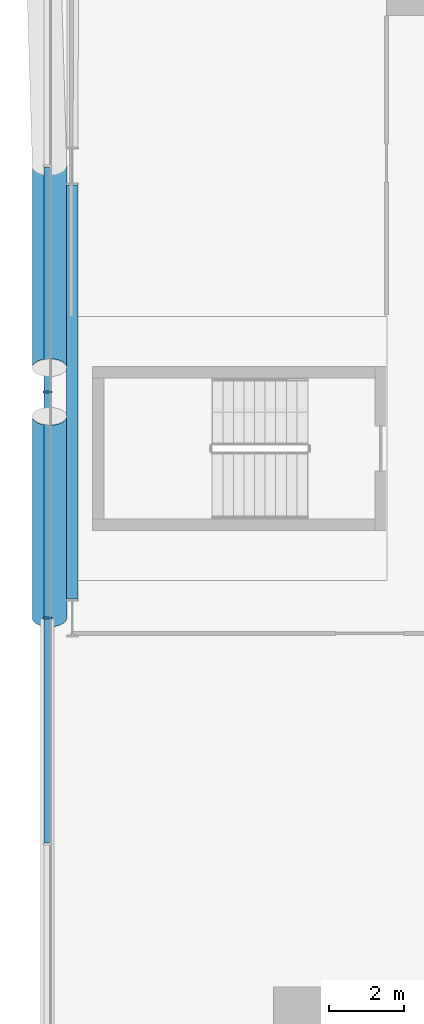
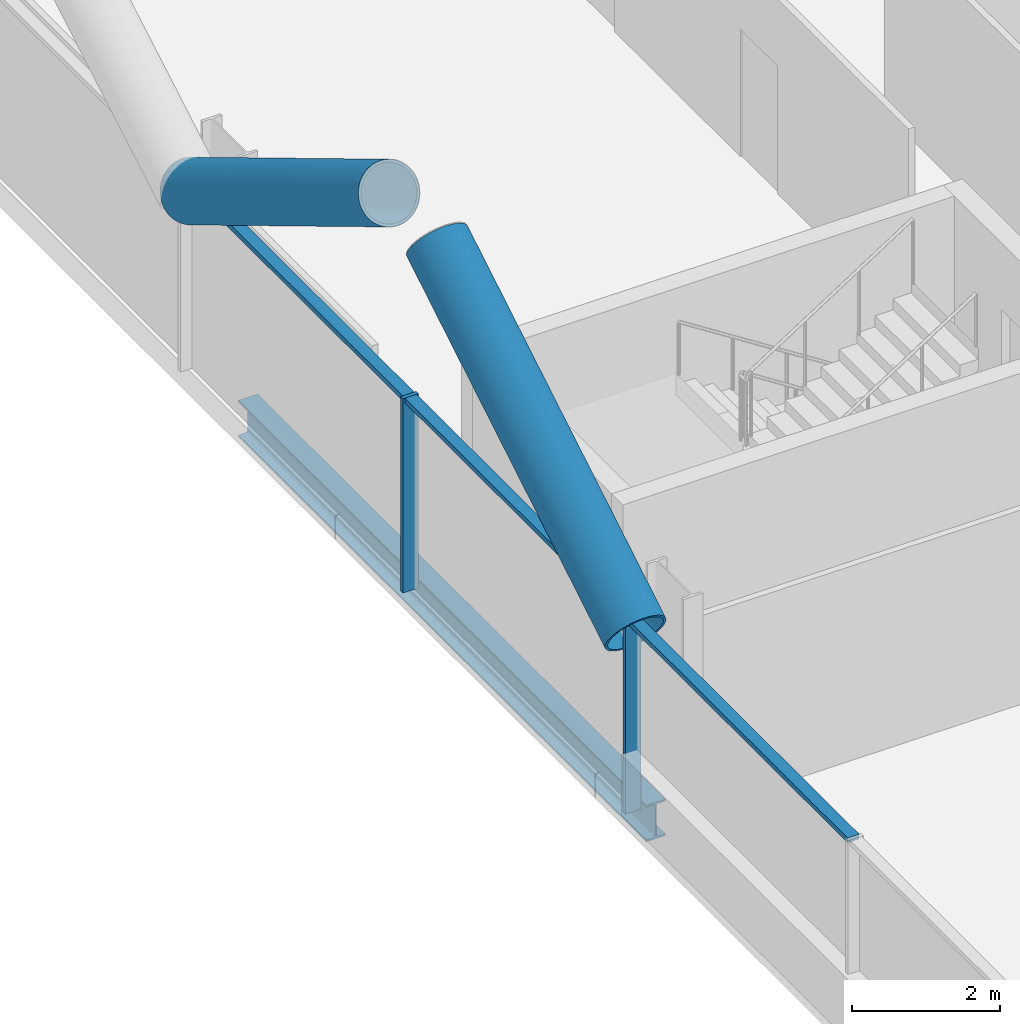
# One storey, part 5 of 28: 7 members, 1 beam, 1 element without a shape of its own.
"""IFC4 building model written with IfcOpenShell, lengths in metres."""

from ifc_helpers import new_model, si_unit, direction, frame, origin, origin_2d, place, context, subcontext, project, spatial, rectangle, hollow_circle, i_section, extrude, material, material_profile, profile_set, type_object, element, aggregate, save


model = new_model("IFC4")

# Units and contexts
model_context = context("Model", 3, precision=1e-05, world=origin(), true_north=direction((0.0, 1.0)))
body_context = subcontext(model_context, "Body", "Model", "MODEL_VIEW")
ifc_project = project(units=[si_unit("LENGTHUNIT", "METRE"), si_unit("AREAUNIT", "SQUARE_METRE"), si_unit("VOLUMEUNIT", "CUBIC_METRE"), si_unit("PLANEANGLEUNIT", "RADIAN"), si_unit("MASSUNIT", "GRAM", prefix="KILO")], contexts=[model_context])

# Site, building, storey
site_placement = place(None, origin())
site = spatial("IfcSite", under=ifc_project, at=site_placement, CompositionType="ELEMENT")
building_placement = place(site_placement, origin())
building = spatial("IfcBuilding", under=site, at=building_placement, Name="Wharfspan Tower", CompositionType="ELEMENT")
storey_placement = place(building_placement, frame((0.0, 0.0, 59.5)))
storey = spatial("IfcBuildingStorey", under=building, at=storey_placement, Name="L11", CompositionType="ELEMENT", Elevation=59.5)

# Beam
ifc_material_1 = material(Name="Steel S355J2", Category="steel")
ifc_material_profile_1 = material_profile(ifc_material_1, i_section(OverallWidth=0.300049, OverallDepth=0.600098, WebThickness=0.015381, FlangeThickness=0.030029, FilletRadius=0.0271, at=origin_2d()))
ifc_profile_set_1 = profile_set([ifc_material_profile_1], Name="Steel S355J2")
beam_type = type_object("IfcBeamType", Name="Edge beam HEB 600", PredefinedType="SPANDREL", material=ifc_profile_set_1)
beam_placement = place(storey_placement, frame((0.659912, 29.5, -0.699951), z_axis=(0.0, -1.0, 0.0), x_axis=(1.0, 0.0, 0.0)))
element("IfcBeam", 1, at=beam_placement, inside=storey, type_object=beam_type, Name="Edge beam W L11 PW.1 to PW.2", PredefinedType="SPANDREL", context=body_context, shape_type="SweptSolid", body=[
    extrude(i_section(OverallWidth=0.300049, OverallDepth=0.600098, WebThickness=0.015381, FlangeThickness=0.030029, FilletRadius=0.0271, at=origin_2d()), origin(), (0.0, 0.0, 1.0), 11.0),
])

# Curtain wall, members
ifc_material_2 = material(Name="Aluminium 6063-T6", Category="aluminium")
curtain_wall_type = type_object("IfcCurtainWallType", Name="CURTAIN WALL PROW AND END", PredefinedType="NOTDEFINED", material=ifc_material_2)
curtain_wall_placement = place(storey_placement, origin())
curtain_wall = element("IfcCurtainWall", 2, at=curtain_wall_placement, inside=storey, type_object=curtain_wall_type, Name="Curtain wall W", PredefinedType="NOTDEFINED")
ifc_material_profile_2 = material_profile(ifc_material_2, rectangle(XDim=0.23999, YDim=0.060059, at=origin_2d()))
ifc_profile_set_2 = profile_set([ifc_material_profile_2], Name="Aluminium 6063-T6")
member_type_1 = type_object("IfcMemberType", Name="MULLION PROW AND END 60x240", PredefinedType="MULLION", material=ifc_profile_set_2)
member_1_placement = place(storey_placement, frame((0.0, 24.0, 0.0), z_axis=(0.0, 0.0, 1.0), x_axis=(1.0, 0.0, 0.0)))
member_1 = element("IfcMember", 3, at=member_1_placement, type_object=member_type_1, Name="Curtain wall W mullion 4", PredefinedType="MULLION", context=body_context, shape_type="SweptSolid", body=[
    extrude(rectangle(XDim=0.23999, YDim=0.060059, at=origin_2d()), origin(), (0.0, 0.0, 1.0), 3.199951),
])
member_2_placement = place(storey_placement, frame((0.0, 18.0, 0.0), z_axis=(0.0, 0.0, 1.0), x_axis=(1.0, 0.0, 0.0)))
member_2 = element("IfcMember", 4, at=member_2_placement, type_object=member_type_1, Name="Curtain wall W mullion 5", PredefinedType="MULLION", context=body_context, shape_type="SweptSolid", body=[
    extrude(rectangle(XDim=0.23999, YDim=0.060059, at=origin_2d()), origin(), (0.0, 0.0, 1.0), 3.199951),
])

# Members
ifc_material_3 = material(Name="Steel S460NH", Category="steel")
ifc_material_profile_3 = material_profile(ifc_material_3, hollow_circle(Radius=0.457031, WallThickness=0.040039, at=origin_2d()))
ifc_profile_set_3 = profile_set([ifc_material_profile_3], Name="Steel S460NH")
member_type_2 = type_object("IfcMemberType", Name="Mega brace CHS 914x40", PredefinedType="BRACE", material=ifc_profile_set_3)
for number, where, z_axis, x_axis, name in (
    (5, (0.054932, 30.0, 2.899902), (0.0, -0.857483, 0.514513), (1.0, 0.0, 0.0), "Mega brace W3 L12 part 1"),
    (6, (0.054932, 18.0, 2.899902), (0.0, 0.857483, 0.514513), (-1.0, 0.0, 0.0), "Mega brace W3 L12 part 3"),
):
    element("IfcMember", number, at=place(storey_placement, frame(where, z_axis=z_axis, x_axis=x_axis)), inside=storey, type_object=member_type_2, Name=name, PredefinedType="BRACE", context=body_context, shape_type="SweptSolid", body=[
        extrude(hollow_circle(Radius=0.457031, WallThickness=0.040039, at=origin_2d()), origin(), (0.0, 0.0, 1.0), 6.239258),
    ])

# Member
ifc_material_profile_4 = material_profile(ifc_material_2, rectangle(XDim=0.179932, YDim=0.080078, at=origin_2d()))
ifc_profile_set_4 = profile_set([ifc_material_profile_4], Name="Aluminium 6063-T6")
member_type_3 = type_object("IfcMemberType", Name="TRANSOM PROW AND END 80x180", PredefinedType="USERDEFINED", material=ifc_profile_set_4)
member_3_placement = place(storey_placement, frame((0.0, 29.969971, 3.159912), z_axis=(0.0, -1.0, 0.0), x_axis=(1.0, 0.0, 0.0)))
member_3 = element("IfcMember", 7, at=member_3_placement, type_object=member_type_3, Name="Curtain wall W transom 3", ObjectType="TRANSOM", PredefinedType="USERDEFINED", context=body_context, shape_type="SweptSolid", body=[
    extrude(rectangle(XDim=0.179932, YDim=0.080078, at=origin_2d()), origin(), (0.0, 0.0, 1.0), 5.939941),
])

member_4_placement = place(storey_placement, frame((0.0, 23.969971, 3.159912), z_axis=(0.0, -1.0, 0.0), x_axis=(1.0, 0.0, 0.0)))
member_4 = element("IfcMember", 8, at=member_4_placement, type_object=member_type_3, Name="Curtain wall W transom 4", ObjectType="TRANSOM", PredefinedType="USERDEFINED", context=body_context, shape_type="SweptSolid", body=[
    extrude(rectangle(XDim=0.179932, YDim=0.080078, at=origin_2d()), origin(), (0.0, 0.0, 1.0), 5.939941),
])

member_5_placement = place(storey_placement, frame((0.0, 17.969971, 3.159912), z_axis=(0.0, -1.0, 0.0), x_axis=(1.0, 0.0, 0.0)))
member_5 = element("IfcMember", 9, at=member_5_placement, type_object=member_type_3, Name="Curtain wall W transom 5", ObjectType="TRANSOM", PredefinedType="USERDEFINED", context=body_context, shape_type="SweptSolid", body=[
    extrude(rectangle(XDim=0.179932, YDim=0.080078, at=origin_2d()), origin(), (0.0, 0.0, 1.0), 5.939941),
])

aggregate(curtain_wall, [member_1, member_2, member_3, member_4, member_5])

save(model, "model.ifc")
